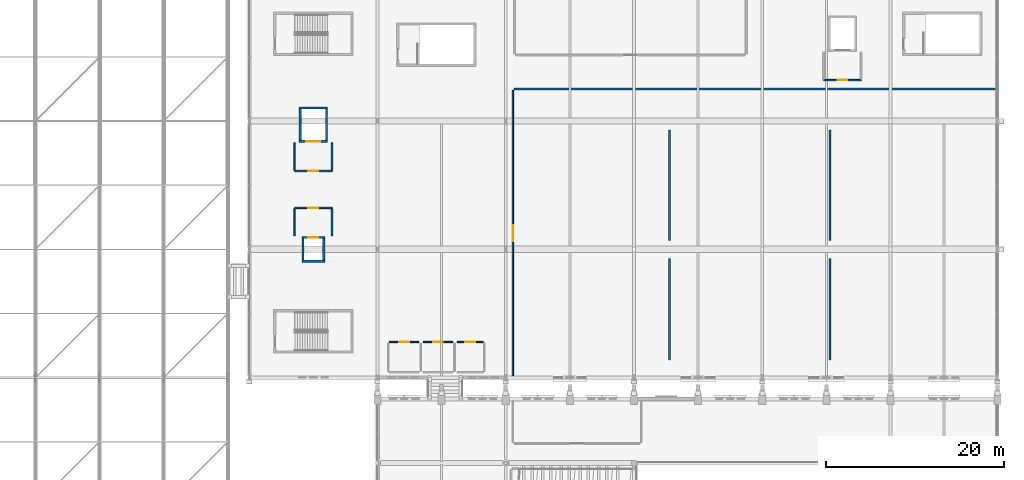
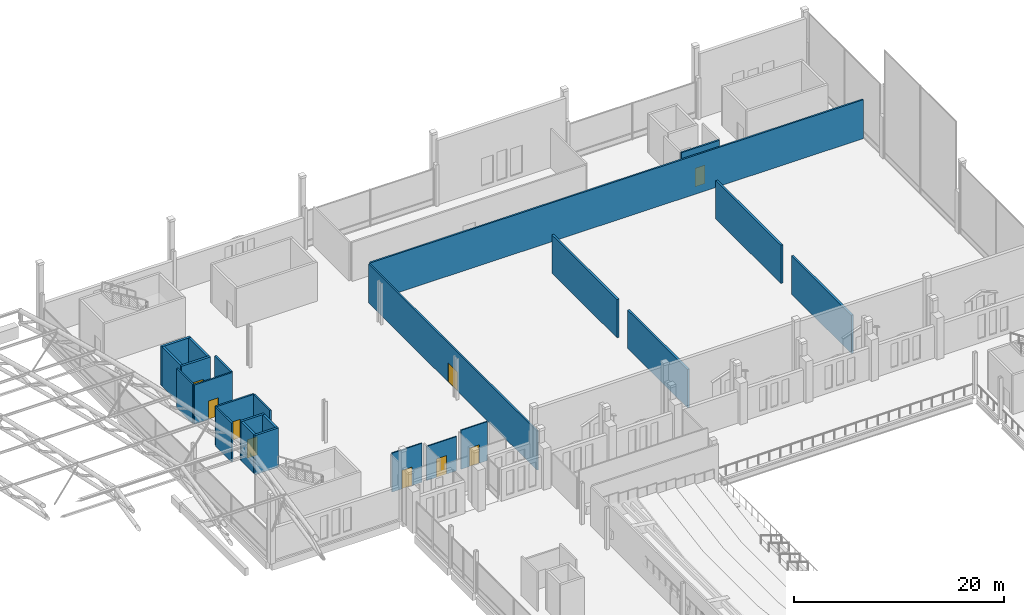
# One storey, part 149 of 193: 24 walls, 9 doors, 9 openings.
"""IFC4 building model written with IfcOpenShell, lengths in metres."""

from ifc_helpers import new_model, si_unit, direction, frame, frame_2d, origin, place, context, subcontext, project, spatial, rectangle, extrude, material, layer, layer_set, type_object, element, fill, save


model = new_model("IFC4")

# Units and contexts
model_context = context("Model", 3, precision=1e-05, world=origin(), true_north=direction((0.0, 1.0)))
body_context = subcontext(model_context, "Body", "Model", "MODEL_VIEW")
ifc_project = project(units=[si_unit("LENGTHUNIT", "METRE"), si_unit("AREAUNIT", "SQUARE_METRE"), si_unit("VOLUMEUNIT", "CUBIC_METRE"), si_unit("PLANEANGLEUNIT", "RADIAN"), si_unit("MASSUNIT", "GRAM", prefix="KILO")], contexts=[model_context])

# Site, building, storey
site_placement = place(None, origin())
site = spatial("IfcSite", under=ifc_project, at=site_placement, CompositionType="ELEMENT")
building_placement = place(site_placement, origin())
building = spatial("IfcBuilding", under=site, at=building_placement, Name="Cendralis Lancet Convention Centre", CompositionType="ELEMENT")
storey_placement = place(building_placement, frame((0.0, 0.0, 10.199951171875)))
storey = spatial("IfcBuildingStorey", under=building, at=storey_placement, Name="L02", CompositionType="ELEMENT", Elevation=10.199951171875)

# Wall, opening, door
ifc_material_1 = material(Name="Acoustic fire-rated gypsum board on steel studs", Category="steel")
ifc_layer_1 = layer(ifc_material_1, 0.1201171875, Name="Acoustic fire-rated gypsum board on steel studs")
ifc_layer_set_1 = layer_set([ifc_layer_1], Name="Acoustic fire-rated gypsum board on steel studs")
wall_type_1 = type_object("IfcWallType", Name="ARC-IW-P120", PredefinedType="PARTITIONING", material=ifc_layer_set_1)
wall_1_placement = place(storey_placement, frame((140.550048828125, 97.60009765625, 0.0), z_axis=(0.0, 0.0, 1.0), x_axis=(1.0, 0.0, 0.0)))
wall_1 = element("IfcWall", 1, at=wall_1_placement, inside=storey, type_object=wall_type_1, Name="L02 Interior Partition IW-05 #0183", PredefinedType="PARTITIONING", context=body_context, shape_type="SweptSolid", body=[
    extrude(rectangle(XDim=3.300048828125, YDim=0.1201171875, at=frame_2d((1.64990234375, 0.0))), origin(), (0.0, 0.0, 1.0), 4.525146484375),
])
opening_1_placement = place(wall_1_placement, frame((1.10009765625, 0.0, 0.0)))
opening_1 = element("IfcOpeningElement", 2, at=opening_1_placement, cuts=wall_1, Name="Opening FD-11", PredefinedType="OPENING", context=body_context, shape_type="SweptSolid", body=[
    extrude(rectangle(XDim=1.10009765625, YDim=2.14990234375, at=frame_2d((0.550048828125, 1.074951171875))), frame((0.0, 0.070068359375, 0.0), z_axis=(0.0, -1.0, 0.0), x_axis=(1.0, 0.0, 0.0)), (0.0, 0.0, 1.0), 0.14013671875),
])
ifc_material_2 = material(Name="Steel S355", Category="steel")
door_type_1 = type_object("IfcDoorType", Name="ARC-DR-FF11", OperationType="NOTDEFINED", PredefinedType="DOOR", material=ifc_material_2)
door_1_placement = place(opening_1_placement, frame((1.10009765625, 0.0, 0.0), z_axis=(0.0, 0.0, 1.0), x_axis=(-1.0, 0.0, 0.0)))
door_1 = element("IfcDoor", 3, at=door_1_placement, inside=storey, type_object=door_type_1, Name="L02-D009 L02 Interior Door FD-11 #0061", OperationType="SINGLE_SWING_RIGHT", OverallHeight=2.14990234375, OverallWidth=1.10009765625, PredefinedType="DOOR", context=body_context, shape_type="SweptSolid", body=[
    extrude(rectangle(XDim=1.10009765625, YDim=2.14990234375, at=frame_2d((0.550048828125, 1.074951171875))), frame((0.0, 0.02490234375, 0.0), z_axis=(0.0, -1.0, 0.0), x_axis=(1.0, 0.0, 0.0)), (0.0, 0.0, 1.0), 0.050048828125),
])
fill(opening_1, door_1)

wall_2_placement = place(storey_placement, frame((144.35009765625, 97.60009765625, 0.0), z_axis=(0.0, 0.0, 1.0), x_axis=(1.0, 0.0, 0.0)))
wall_2 = element("IfcWall", 4, at=wall_2_placement, inside=storey, type_object=wall_type_1, Name="L02 Interior Partition IW-05 #0187", PredefinedType="PARTITIONING", context=body_context, shape_type="SweptSolid", body=[
    extrude(rectangle(XDim=3.2998046875, YDim=0.1201171875, at=frame_2d((1.64990234375, 0.0))), origin(), (0.0, 0.0, 1.0), 3.97509765625),
])
opening_2_placement = place(wall_2_placement, frame((1.10009765625, 0.0, 0.0)))
opening_2 = element("IfcOpeningElement", 5, at=opening_2_placement, cuts=wall_2, Name="Opening FD-11", PredefinedType="OPENING", context=body_context, shape_type="SweptSolid", body=[
    extrude(rectangle(XDim=1.10009765625, YDim=2.14990234375, at=frame_2d((0.550048828125, 1.074951171875))), frame((0.0, 0.070068359375, 0.0), z_axis=(0.0, -1.0, 0.0), x_axis=(1.0, 0.0, 0.0)), (0.0, 0.0, 1.0), 0.14013671875),
])
door_2_placement = place(opening_2_placement, origin())
door_2 = element("IfcDoor", 6, at=door_2_placement, inside=storey, type_object=door_type_1, Name="L02-D010 L02 Interior Door FD-11 #0062", OperationType="SINGLE_SWING_LEFT", OverallHeight=2.14990234375, OverallWidth=1.10009765625, PredefinedType="DOOR", context=body_context, shape_type="SweptSolid", body=[
    extrude(rectangle(XDim=1.10009765625, YDim=2.14990234375, at=frame_2d((0.550048828125, 1.074951171875))), frame((0.0, 0.02490234375, 0.0), z_axis=(0.0, -1.0, 0.0), x_axis=(1.0, 0.0, 0.0)), (0.0, 0.0, 1.0), 0.050048828125),
])
fill(opening_2, door_2)

wall_3_placement = place(storey_placement, frame((148.14990234375, 97.60009765625, 0.0), z_axis=(0.0, 0.0, 1.0), x_axis=(1.0, 0.0, 0.0)))
wall_3 = element("IfcWall", 7, at=wall_3_placement, inside=storey, type_object=wall_type_1, Name="L02 Interior Partition IW-05 #0190", PredefinedType="PARTITIONING", context=body_context, shape_type="SweptSolid", body=[
    extrude(rectangle(XDim=2.900146484375, YDim=0.1201171875, at=frame_2d((1.4501953125, 0.0))), origin(), (0.0, 0.0, 1.0), 4.525146484375),
])
opening_3_placement = place(wall_3_placement, frame((0.89990234375, 0.0, 0.0)))
opening_3 = element("IfcOpeningElement", 8, at=opening_3_placement, cuts=wall_3, Name="Opening FD-11", PredefinedType="OPENING", context=body_context, shape_type="SweptSolid", body=[
    extrude(rectangle(XDim=1.10009765625, YDim=2.14990234375, at=frame_2d((0.550048828125, 1.074951171875))), frame((0.0, 0.070068359375, 0.0), z_axis=(0.0, -1.0, 0.0), x_axis=(1.0, 0.0, 0.0)), (0.0, 0.0, 1.0), 0.14013671875),
])
door_3_placement = place(opening_3_placement, frame((1.10009765625, 0.0, 0.0), z_axis=(0.0, 0.0, 1.0), x_axis=(-1.0, 0.0, 0.0)))
door_3 = element("IfcDoor", 9, at=door_3_placement, inside=storey, type_object=door_type_1, Name="L02-D011 L02 Interior Door FD-11 #0063", OperationType="SINGLE_SWING_RIGHT", OverallHeight=2.14990234375, OverallWidth=1.10009765625, PredefinedType="DOOR", context=body_context, shape_type="SweptSolid", body=[
    extrude(rectangle(XDim=1.10009765625, YDim=2.14990234375, at=frame_2d((0.550048828125, 1.074951171875))), frame((0.0, 0.02490234375, 0.0), z_axis=(0.0, -1.0, 0.0), x_axis=(1.0, 0.0, 0.0)), (0.0, 0.0, 1.0), 0.050048828125),
])
fill(opening_3, door_3)

ifc_layer_2 = layer(ifc_material_1, 0.179931640625, Name="Acoustic fire-rated gypsum board on steel studs")
ifc_layer_set_2 = layer_set([ifc_layer_2], Name="Acoustic fire-rated gypsum board on steel studs")
wall_type_2 = type_object("IfcWallType", Name="ARC-IW-P180", PredefinedType="PARTITIONING", material=ifc_layer_set_2)
wall_4_placement = place(storey_placement, frame((129.89990234375, 112.64990234375, 0.0), z_axis=(0.0, 0.0, 1.0), x_axis=(1.0, 0.0, 0.0)))
wall_4 = element("IfcWall", 10, at=wall_4_placement, inside=storey, type_object=wall_type_2, Name="L02 Lift Lobby LP-07 Front Wall", PredefinedType="PARTITIONING", context=body_context, shape_type="SweptSolid", body=[
    extrude(rectangle(XDim=4.2001953125, YDim=0.179931640625, at=frame_2d((2.10009765625, 0.0))), origin(), (0.0, 0.0, 1.0), 4.5400390625),
])
opening_4_placement = place(wall_4_placement, frame((1.550048828125, 0.0, 0.0)))
opening_4 = element("IfcOpeningElement", 11, at=opening_4_placement, cuts=wall_4, Name="Opening FD-11", PredefinedType="OPENING", context=body_context, shape_type="SweptSolid", body=[
    extrude(rectangle(XDim=1.10009765625, YDim=2.14990234375, at=frame_2d((0.550048828125, 1.074951171875))), frame((0.0, 0.099853515625, 0.0), z_axis=(0.0, -1.0, 0.0), x_axis=(1.0, 0.0, 0.0)), (0.0, 0.0, 1.0), 0.199951171875),
])
door_4_placement = place(opening_4_placement, origin())
door_4 = element("IfcDoor", 12, at=door_4_placement, inside=storey, type_object=door_type_1, Name="L02-D051 L02 Lift Lobby LP-07 Fire Door", OperationType="SINGLE_SWING_RIGHT", OverallHeight=2.14990234375, OverallWidth=1.10009765625, PredefinedType="DOOR", context=body_context, shape_type="SweptSolid", body=[
    extrude(rectangle(XDim=1.10009765625, YDim=2.14990234375, at=frame_2d((0.550048828125, 1.074951171875))), frame((0.0, 0.02490234375, 0.0), z_axis=(0.0, -1.0, 0.0), x_axis=(1.0, 0.0, 0.0)), (0.0, 0.0, 1.0), 0.050048828125),
])
fill(opening_4, door_4)

# Walls
for number, where, z_axis, x_axis, name in (
    (13, (129.89990234375, 109.5, 0.0), (0.0, 0.0, 1.0), (0.0, 1.0, 0.0), "L02 Lift Lobby LP-07 West Wall"),
    (14, (134.10009765625, 109.5, 0.0), (0.0, 0.0, 1.0), (0.0, 1.0, 0.0), "L02 Lift Lobby LP-07 East Wall"),
):
    element("IfcWall", number, at=place(storey_placement, frame(where, z_axis=z_axis, x_axis=x_axis)), inside=storey, type_object=wall_type_2, Name=name, PredefinedType="PARTITIONING", context=body_context, shape_type="SweptSolid", body=[
        extrude(rectangle(XDim=3.050048828125, YDim=0.179931640625, at=frame_2d((1.52490234375, 0.0))), origin(), (0.0, 0.0, 1.0), 4.5400390625),
    ])

# Wall, opening, door
wall_5_placement = place(storey_placement, frame((134.10009765625, 116.800048828125, 0.0), z_axis=(0.0, 0.0, 1.0), x_axis=(-1.0, 0.0, 0.0)))
wall_5 = element("IfcWall", 15, at=wall_5_placement, inside=storey, type_object=wall_type_2, Name="L02 Lift Lobby LG-02 Front Wall", PredefinedType="PARTITIONING", context=body_context, shape_type="SweptSolid", body=[
    extrude(rectangle(XDim=4.2001953125, YDim=0.179931640625, at=frame_2d((2.10009765625, 0.0))), origin(), (0.0, 0.0, 1.0), 4.5400390625),
])
opening_5_placement = place(wall_5_placement, frame((1.550048828125, 0.0, 0.0)))
opening_5 = element("IfcOpeningElement", 16, at=opening_5_placement, cuts=wall_5, Name="Opening FD-11", PredefinedType="OPENING", context=body_context, shape_type="SweptSolid", body=[
    extrude(rectangle(XDim=1.10009765625, YDim=2.14990234375, at=frame_2d((0.550048828125, 1.074951171875))), frame((0.0, 0.099853515625, 0.0), z_axis=(0.0, -1.0, 0.0), x_axis=(1.0, 0.0, 0.0)), (0.0, 0.0, 1.0), 0.199951171875),
])
door_5_placement = place(opening_5_placement, origin())
door_5 = element("IfcDoor", 17, at=door_5_placement, inside=storey, type_object=door_type_1, Name="L02-D042 L02 Lift Lobby LG-02 Fire Door", OperationType="SINGLE_SWING_RIGHT", OverallHeight=2.14990234375, OverallWidth=1.10009765625, PredefinedType="DOOR", context=body_context, shape_type="SweptSolid", body=[
    extrude(rectangle(XDim=1.10009765625, YDim=2.14990234375, at=frame_2d((0.550048828125, 1.074951171875))), frame((0.0, 0.02490234375, 0.0), z_axis=(0.0, -1.0, 0.0), x_axis=(1.0, 0.0, 0.0)), (0.0, 0.0, 1.0), 0.050048828125),
])
fill(opening_5, door_5)

# Walls
for number, where, z_axis, x_axis, name in (
    (18, (129.89990234375, 116.89990234375, 0.0), (0.0, 0.0, 1.0), (0.0, 1.0, 0.0), "L02 Lift Lobby LG-02 West Wall"),
    (19, (134.10009765625, 116.89990234375, 0.0), (0.0, 0.0, 1.0), (0.0, 1.0, 0.0), "L02 Lift Lobby LG-02 East Wall"),
):
    element("IfcWall", number, at=place(storey_placement, frame(where, z_axis=z_axis, x_axis=x_axis)), inside=storey, type_object=wall_type_2, Name=name, PredefinedType="PARTITIONING", context=body_context, shape_type="SweptSolid", body=[
        extrude(rectangle(XDim=3.050048828125, YDim=0.179931640625, at=frame_2d((1.52490234375, 0.0))), origin(), (0.0, 0.0, 1.0), 4.5400390625),
    ])

# Wall, opening, door
wall_6_placement = place(storey_placement, frame((193.5, 127.0, 0.0), z_axis=(0.0, 0.0, 1.0), x_axis=(-1.0, 0.0, 0.0)))
wall_6 = element("IfcWall", 20, at=wall_6_placement, inside=storey, type_object=wall_type_2, Name="L02 Lift Lobby LG-03 Front Wall", PredefinedType="PARTITIONING", context=body_context, shape_type="SweptSolid", body=[
    extrude(rectangle(XDim=4.199951171875, YDim=0.179931640625, at=frame_2d((2.10009765625, 0.0))), origin(), (0.0, 0.0, 1.0), 4.5400390625),
])
opening_6_placement = place(wall_6_placement, frame((1.550048828125, 0.0, 0.0)))
opening_6 = element("IfcOpeningElement", 21, at=opening_6_placement, cuts=wall_6, Name="Opening FD-11", PredefinedType="OPENING", context=body_context, shape_type="SweptSolid", body=[
    extrude(rectangle(XDim=1.10009765625, YDim=2.14990234375, at=frame_2d((0.550048828125, 1.074951171875))), frame((0.0, 0.099853515625, 0.0), z_axis=(0.0, -1.0, 0.0), x_axis=(1.0, 0.0, 0.0)), (0.0, 0.0, 1.0), 0.199951171875),
])
door_6_placement = place(opening_6_placement, origin())
door_6 = element("IfcDoor", 22, at=door_6_placement, inside=storey, type_object=door_type_1, Name="L02-D043 L02 Lift Lobby LG-03 Fire Door", OperationType="SINGLE_SWING_RIGHT", OverallHeight=2.14990234375, OverallWidth=1.10009765625, PredefinedType="DOOR", context=body_context, shape_type="SweptSolid", body=[
    extrude(rectangle(XDim=1.10009765625, YDim=2.14990234375, at=frame_2d((0.550048828125, 1.074951171875))), frame((0.0, 0.02490234375, 0.0), z_axis=(0.0, -1.0, 0.0), x_axis=(1.0, 0.0, 0.0)), (0.0, 0.0, 1.0), 0.050048828125),
])
fill(opening_6, door_6)

# Wall
wall_7_placement = place(storey_placement, frame((154.5400390625, 126.0, 0.0), z_axis=(0.0, 0.0, 1.0), x_axis=(1.0, 0.0, 0.0)))
element("IfcWall", 23, at=wall_7_placement, inside=storey, type_object=wall_type_2, Name="L02 Interior Partition IW-02 #0178", PredefinedType="PARTITIONING", context=body_context, shape_type="SweptSolid", body=[
    extrude(rectangle(XDim=54.179931640625, YDim=0.179931640625, at=frame_2d((27.08984375, 0.0))), origin(), (0.0, 0.0, 1.0), 4.525146484375),
])

# Wall, opening, door
wall_8_placement = place(storey_placement, frame((154.39990234375, 93.7900390625, 0.0), z_axis=(0.0, 0.0, 1.0), x_axis=(0.0, 1.0, 0.0)))
wall_8 = element("IfcWall", 24, at=wall_8_placement, inside=storey, type_object=wall_type_2, Name="L02 Interior Partition IW-02 #0179", PredefinedType="PARTITIONING", context=body_context, shape_type="SweptSolid", body=[
    extrude(rectangle(XDim=32.070068359375, YDim=0.179931640625, at=frame_2d((16.03515625, 0.0))), origin(), (0.0, 0.0, 1.0), 4.525146484375),
])
opening_7_placement = place(wall_8_placement, frame((15.135009765625, 0.0, 0.0)))
opening_7 = element("IfcOpeningElement", 25, at=opening_7_placement, cuts=wall_8, Name="Opening ID-18", PredefinedType="OPENING", context=body_context, shape_type="SweptSolid", body=[
    extrude(rectangle(XDim=1.800048828125, YDim=2.199951171875, at=frame_2d((0.89990234375, 1.10009765625))), frame((0.0, 0.099853515625, 0.0), z_axis=(0.0, -1.0, 0.0), x_axis=(1.0, 0.0, 0.0)), (0.0, 0.0, 1.0), 0.199951171875),
])
ifc_material_3 = material(Name="Acoustic Chilean lenga timber and steel fire leaf", Category="steel")
door_type_2 = type_object("IfcDoorType", Name="ARC-DR-DB18", OperationType="NOTDEFINED", PredefinedType="DOOR", material=ifc_material_3)
door_7_placement = place(opening_7_placement, frame((1.800048828125, 0.0, 0.0), z_axis=(0.0, 0.0, 1.0), x_axis=(-1.0, 0.0, 0.0)))
door_7 = element("IfcDoor", 26, at=door_7_placement, inside=storey, type_object=door_type_2, Name="L02-D007 L02 Interior Door ID-18 #0059", OperationType="DOUBLE_DOOR_SINGLE_SWING", OverallHeight=2.199951171875, OverallWidth=1.800048828125, PredefinedType="DOOR", context=body_context, shape_type="SweptSolid", body=[
    extrude(rectangle(XDim=1.800048828125, YDim=2.199951171875, at=frame_2d((0.89990234375, 1.10009765625))), frame((0.0, 0.02490234375, 0.0), z_axis=(0.0, -1.0, 0.0), x_axis=(1.0, 0.0, 0.0)), (0.0, 0.0, 1.0), 0.050048828125),
])
fill(opening_7, door_7)

# Walls
ifc_material_4 = material(Name="Motorised acoustic operable panel system")
ifc_layer_3 = layer(ifc_material_4, 0.22998046875, Name="Motorised acoustic operable panel system")
ifc_layer_set_3 = layer_set([ifc_layer_3], Name="Motorised acoustic operable panel system")
wall_type_3 = type_object("IfcWallType", Name="ARC-MW-MV230", PredefinedType="MOVABLE", material=ifc_layer_set_3)
wall_9_placement = place(storey_placement, frame((172.0, 95.60009765625, 0.0), z_axis=(0.0, 0.0, 1.0), x_axis=(0.0, 1.0, 0.0)))
element("IfcWall", 27, at=wall_9_placement, inside=storey, type_object=wall_type_3, Name="L02 Operable Acoustic Partition MW-01 #01", PredefinedType="MOVABLE", context=body_context, shape_type="SweptSolid", body=[
    extrude(rectangle(XDim=11.39990234375, YDim=0.22998046875, at=frame_2d((5.699951171875, 0.0))), origin(), (0.0, 0.0, 1.0), 4.449951171875),
])
wall_10_placement = place(storey_placement, frame((172.0, 109.0, 0.0), z_axis=(0.0, 0.0, 1.0), x_axis=(0.0, 1.0, 0.0)))
element("IfcWall", 28, at=wall_10_placement, inside=storey, type_object=wall_type_3, Name="L02 Operable Acoustic Partition MW-01 #02", PredefinedType="MOVABLE", context=body_context, shape_type="SweptSolid", body=[
    extrude(rectangle(XDim=12.39990234375, YDim=0.22998046875, at=frame_2d((6.199951171875, 0.0))), origin(), (0.0, 0.0, 1.0), 4.449951171875),
])
wall_11_placement = place(storey_placement, frame((190.0, 95.60009765625, 0.0), z_axis=(0.0, 0.0, 1.0), x_axis=(0.0, 1.0, 0.0)))
element("IfcWall", 29, at=wall_11_placement, inside=storey, type_object=wall_type_3, Name="L02 Operable Acoustic Partition MW-01 #03", PredefinedType="MOVABLE", context=body_context, shape_type="SweptSolid", body=[
    extrude(rectangle(XDim=11.39990234375, YDim=0.22998046875, at=frame_2d((5.699951171875, 0.0))), origin(), (0.0, 0.0, 1.0), 4.449951171875),
])
wall_12_placement = place(storey_placement, frame((190.0, 109.0, 0.0), z_axis=(0.0, 0.0, 1.0), x_axis=(0.0, 1.0, 0.0)))
element("IfcWall", 30, at=wall_12_placement, inside=storey, type_object=wall_type_3, Name="L02 Operable Acoustic Partition MW-01 #04", PredefinedType="MOVABLE", context=body_context, shape_type="SweptSolid", body=[
    extrude(rectangle(XDim=12.39990234375, YDim=0.22998046875, at=frame_2d((6.199951171875, 0.0))), origin(), (0.0, 0.0, 1.0), 4.449951171875),
])
ifc_material_5 = material(Name="Concrete G40 (C40/50)", Category="concrete")
ifc_layer_4 = layer(ifc_material_5, 0.25, Name="Concrete G40 (C40/50)")
ifc_layer_set_4 = layer_set([ifc_layer_4], Name="Concrete G40 (C40/50)")
wall_type_4 = type_object("IfcWallType", Name="STR-SW-CW250", PredefinedType="SHEAR", material=ifc_layer_set_4)
wall_13_placement = place(storey_placement, frame((130.699951171875, 106.675048828125, 0.0), z_axis=(0.0, 0.0, 1.0), x_axis=(1.0, 0.0, 0.0)))
element("IfcWall", 31, at=wall_13_placement, inside=storey, type_object=wall_type_4, Name="L02 Lift LP-07 South Shaft Wall", PredefinedType="SHEAR", context=body_context, shape_type="SweptSolid", body=[
    extrude(rectangle(XDim=2.60009765625, YDim=0.25, at=frame_2d((1.300048828125, 0.0))), origin(), (0.0, 0.0, 1.0), 4.5400390625),
])

# Wall, opening, door
wall_14_placement = place(storey_placement, frame((130.699951171875, 109.324951171875, 0.0), z_axis=(0.0, 0.0, 1.0), x_axis=(1.0, 0.0, 0.0)))
wall_14 = element("IfcWall", 32, at=wall_14_placement, inside=storey, type_object=wall_type_4, Name="L02 Lift LP-07 North Shaft Wall", PredefinedType="SHEAR", context=body_context, shape_type="SweptSolid", body=[
    extrude(rectangle(XDim=2.60009765625, YDim=0.25, at=frame_2d((1.300048828125, 0.0))), origin(), (0.0, 0.0, 1.0), 4.5400390625),
])
opening_8_placement = place(wall_14_placement, frame((0.75, 0.0, 0.0)))
opening_8 = element("IfcOpeningElement", 33, at=opening_8_placement, cuts=wall_14, Name="Opening LD-11", PredefinedType="OPENING", context=body_context, shape_type="SweptSolid", body=[
    extrude(rectangle(XDim=1.10009765625, YDim=2.14990234375, at=frame_2d((0.550048828125, 1.074951171875))), frame((0.0, 0.135009765625, 0.0), z_axis=(0.0, -1.0, 0.0), x_axis=(1.0, 0.0, 0.0)), (0.0, 0.0, 1.0), 0.27001953125),
])
ifc_material_6 = material(Name="Anodised bronze architectural aluminium", Category="aluminium")
door_type_3 = type_object("IfcDoorType", Name="ARC-DR-LD11", OperationType="NOTDEFINED", PredefinedType="DOOR", material=ifc_material_6)
door_8_placement = place(opening_8_placement, origin())
door_8 = element("IfcDoor", 34, at=door_8_placement, inside=storey, type_object=door_type_3, Name="L02-D039 L02 Lift LP-07 Sliding Landing Door", OperationType="SLIDING_TO_RIGHT", OverallHeight=2.14990234375, OverallWidth=1.10009765625, PredefinedType="DOOR", context=body_context, shape_type="SweptSolid", body=[
    extrude(rectangle(XDim=1.10009765625, YDim=2.14990234375, at=frame_2d((0.550048828125, 1.074951171875))), frame((0.0, 0.02490234375, 0.0), z_axis=(0.0, -1.0, 0.0), x_axis=(1.0, 0.0, 0.0)), (0.0, 0.0, 1.0), 0.050048828125),
])
fill(opening_8, door_8)

# Walls
for number, where, z_axis, x_axis, name in (
    (35, (130.824951171875, 106.800048828125, 0.0), (0.0, 0.0, 1.0), (0.0, 1.0, 0.0), "L02 Lift LP-07 West Shaft Wall"),
    (36, (133.175048828125, 106.800048828125, 0.0), (0.0, 0.0, 1.0), (0.0, 1.0, 0.0), "L02 Lift LP-07 East Shaft Wall"),
):
    element("IfcWall", number, at=place(storey_placement, frame(where, z_axis=z_axis, x_axis=x_axis)), inside=storey, type_object=wall_type_4, Name=name, PredefinedType="SHEAR", context=body_context, shape_type="SweptSolid", body=[
        extrude(rectangle(XDim=2.39990234375, YDim=0.25, at=frame_2d((1.199951171875, 0.0))), origin(), (0.0, 0.0, 1.0), 4.5400390625),
    ])

# Wall, opening, door
wall_15_placement = place(storey_placement, frame((130.39990234375, 120.125, 0.0), z_axis=(0.0, 0.0, 1.0), x_axis=(1.0, 0.0, 0.0)))
wall_15 = element("IfcWall", 37, at=wall_15_placement, inside=storey, type_object=wall_type_4, Name="L02 Lift LG-02 South Shaft Wall", PredefinedType="SHEAR", context=body_context, shape_type="SweptSolid", body=[
    extrude(rectangle(XDim=3.2001953125, YDim=0.25, at=frame_2d((1.60009765625, 0.0))), origin(), (0.0, 0.0, 1.0), 4.5400390625),
])
opening_9_placement = place(wall_15_placement, frame((0.800048828125, 0.0, 0.0)))
opening_9 = element("IfcOpeningElement", 38, at=opening_9_placement, cuts=wall_15, Name="Opening LD-16", PredefinedType="OPENING", context=body_context, shape_type="SweptSolid", body=[
    extrude(rectangle(XDim=1.60009765625, YDim=2.199951171875, at=frame_2d((0.800048828125, 1.10009765625))), frame((0.0, 0.135009765625, 0.0), z_axis=(0.0, -1.0, 0.0), x_axis=(1.0, 0.0, 0.0)), (0.0, 0.0, 1.0), 0.27001953125),
])
door_type_4 = type_object("IfcDoorType", Name="ARC-DR-LD16", OperationType="NOTDEFINED", PredefinedType="DOOR", material=ifc_material_2)
door_9_placement = place(opening_9_placement, origin())
door_9 = element("IfcDoor", 39, at=door_9_placement, inside=storey, type_object=door_type_4, Name="L02-D030 L02 Lift LG-02 Sliding Landing Door", OperationType="SLIDING_TO_LEFT", OverallHeight=2.199951171875, OverallWidth=1.60009765625, PredefinedType="DOOR", context=body_context, shape_type="SweptSolid", body=[
    extrude(rectangle(XDim=1.60009765625, YDim=2.199951171875, at=frame_2d((0.800048828125, 1.10009765625))), frame((0.0, 0.02490234375, 0.0), z_axis=(0.0, -1.0, 0.0), x_axis=(1.0, 0.0, 0.0)), (0.0, 0.0, 1.0), 0.050048828125),
])
fill(opening_9, door_9)

# Walls
wall_16_placement = place(storey_placement, frame((130.39990234375, 123.875, 0.0), z_axis=(0.0, 0.0, 1.0), x_axis=(1.0, 0.0, 0.0)))
element("IfcWall", 40, at=wall_16_placement, inside=storey, type_object=wall_type_4, Name="L02 Lift LG-02 North Shaft Wall", PredefinedType="SHEAR", context=body_context, shape_type="SweptSolid", body=[
    extrude(rectangle(XDim=3.2001953125, YDim=0.25, at=frame_2d((1.60009765625, 0.0))), origin(), (0.0, 0.0, 1.0), 4.5400390625),
])
for number, where, z_axis, x_axis, name in (
    (41, (130.52490234375, 120.25, 0.0), (0.0, 0.0, 1.0), (0.0, 1.0, 0.0), "L02 Lift LG-02 West Shaft Wall"),
    (42, (133.47509765625, 120.25, 0.0), (0.0, 0.0, 1.0), (0.0, 1.0, 0.0), "L02 Lift LG-02 East Shaft Wall"),
):
    element("IfcWall", number, at=place(storey_placement, frame(where, z_axis=z_axis, x_axis=x_axis)), inside=storey, type_object=wall_type_4, Name=name, PredefinedType="SHEAR", context=body_context, shape_type="SweptSolid", body=[
        extrude(rectangle(XDim=3.5, YDim=0.25, at=frame_2d((1.75, 0.0))), origin(), (0.0, 0.0, 1.0), 4.5400390625),
    ])

save(model, "model.ifc")
